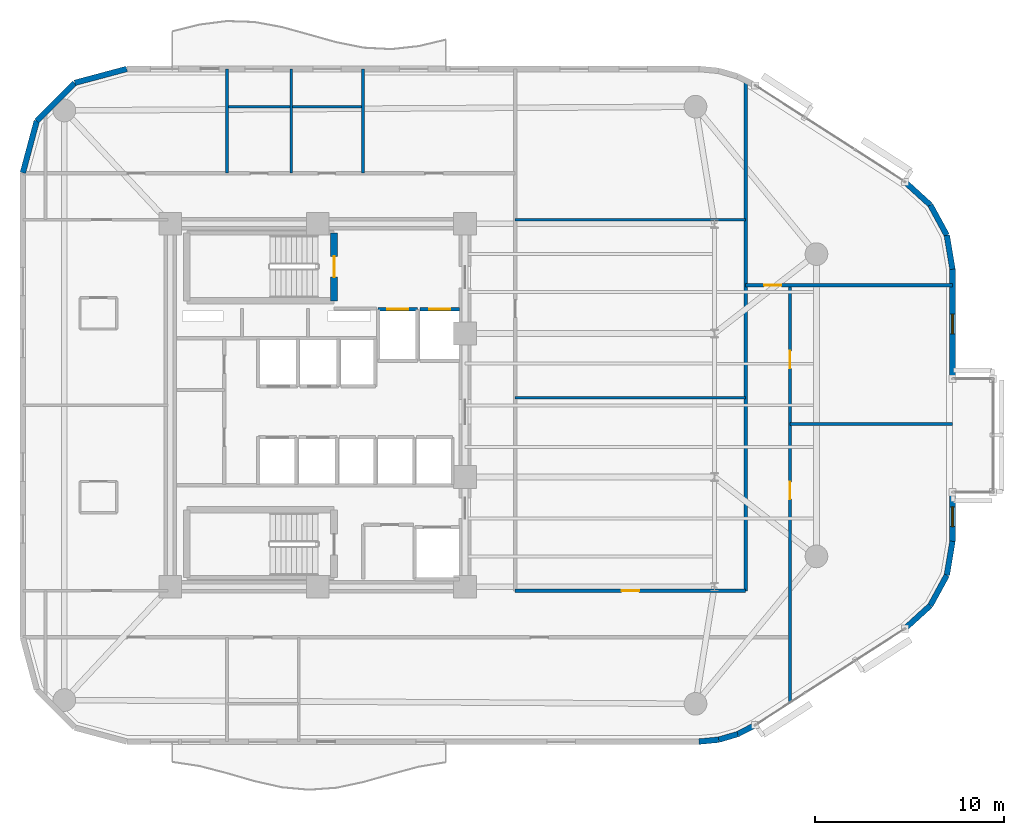
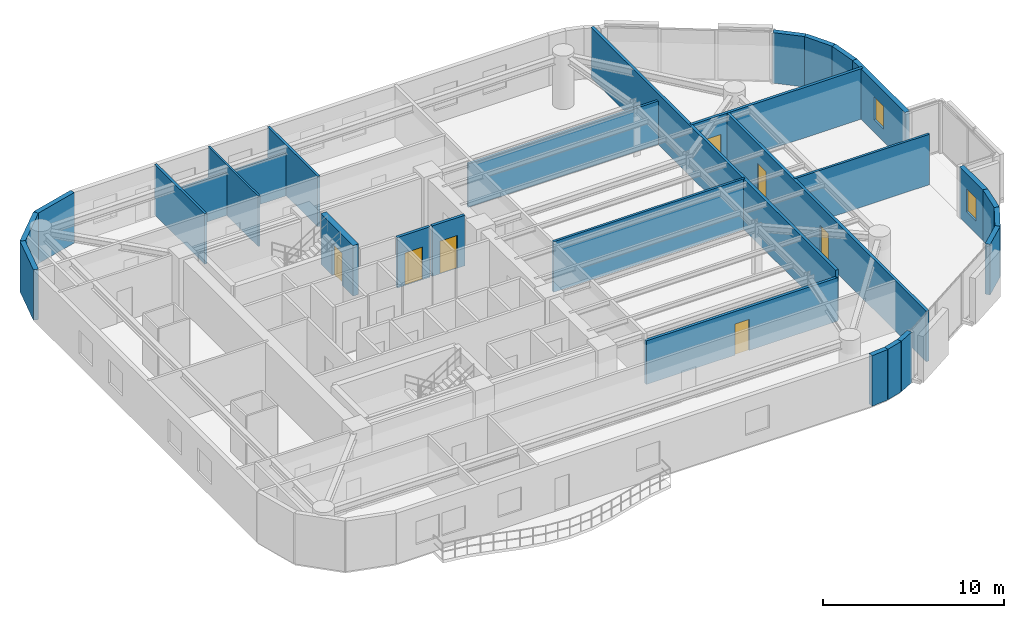
# One storey, part 13 of 16: 28 walls, 7 doors, 2 windows, 9 openings.
"""IFC4 building model written with IfcOpenShell, lengths in metres."""

from ifc_helpers import new_model, si_unit, direction, frame, frame_2d, origin, place, context, subcontext, project, spatial, rectangle, extrude, material, layer, layer_set, type_object, element, fill, save


model = new_model("IFC4")

# Units and contexts
model_context = context("Model", 3, precision=1e-05, world=origin(), true_north=direction((0.0, 1.0)))
body_context = subcontext(model_context, "Body", "Model", "MODEL_VIEW")
ifc_project = project(units=[si_unit("LENGTHUNIT", "METRE"), si_unit("AREAUNIT", "SQUARE_METRE"), si_unit("VOLUMEUNIT", "CUBIC_METRE"), si_unit("PLANEANGLEUNIT", "RADIAN"), si_unit("MASSUNIT", "GRAM", prefix="KILO")], contexts=[model_context])

# Site, building, storey
site_placement = place(None, origin())
site = spatial("IfcSite", under=ifc_project, at=site_placement, CompositionType="ELEMENT")
building_placement = place(site_placement, origin())
building = spatial("IfcBuilding", under=site, at=building_placement, Name="An Khanh Terracotta Commons", CompositionType="ELEMENT")
storey_placement = place(building_placement, frame((0.0, 0.0, 172.60009765625)))
storey = spatial("IfcBuildingStorey", under=building, at=storey_placement, Name="L45", CompositionType="ELEMENT", Elevation=172.60009765625)

# Wall, opening, door
ifc_material_1 = material(Name="Fire-Rated Gypsum Board on Steel Stud", Category="steel")
ifc_layer_1 = layer(ifc_material_1, 0.179931640625, Name="Fire-Rated Gypsum Board on Steel Stud")
ifc_layer_set_1 = layer_set([ifc_layer_1], Name="Fire-Rated Gypsum Board on Steel Stud")
wall_type_1 = type_object("IfcWallType", Name="WALL-CORR-180", PredefinedType="PARTITIONING", material=ifc_layer_set_1)
wall_1_placement = place(storey_placement, frame((32.60009765625, 29.080078125, 0.0), z_axis=(0.0, 0.0, 1.0), x_axis=(1.0, 0.0, 0.0)))
wall_1 = element("IfcWall", 1, at=wall_1_placement, inside=storey, type_object=wall_type_1, Name="L45 Core Wall LSH-L45-FFL-01-N", PredefinedType="PARTITIONING", context=body_context, shape_type="SweptSolid", body=[
    extrude(rectangle(XDim=2.079833984375, YDim=0.179931640625, at=frame_2d((1.0400390625, 0.0))), origin(), (0.0, 0.0, 1.0), 3.39990234375),
])
opening_1_placement = place(wall_1_placement, frame((0.489990234375, 0.0, 0.0)))
opening_1 = element("IfcOpeningElement", 2, at=opening_1_placement, cuts=wall_1, Name="Opening LD-FFL-01-L45", PredefinedType="OPENING", context=body_context, shape_type="SweptSolid", body=[
    extrude(rectangle(XDim=1.10009765625, YDim=2.199951171875, at=frame_2d((0.550048828125, 1.10009765625))), frame((0.0, 0.099853515625, 0.0), z_axis=(0.0, -1.0, 0.0), x_axis=(1.0, 0.0, 0.0)), (0.0, 0.0, 1.0), 0.199951171875),
])
ifc_material_2 = material(Name="Brushed Stainless Steel Fire Landing Door", Category="steel")
door_type_1 = type_object("IfcDoorType", Name="DOOR-LD-FFL-1100", OperationType="NOTDEFINED", PredefinedType="DOOR", material=ifc_material_2)
door_1_placement = place(opening_1_placement, origin())
door_1 = element("IfcDoor", 3, at=door_1_placement, inside=storey, type_object=door_type_1, Name="L45 Lift FFL-01 Sliding Landing Door", OperationType="DOUBLE_DOOR_SLIDING", OverallHeight=2.199951171875, OverallWidth=1.10009765625, PredefinedType="DOOR", context=body_context, shape_type="SweptSolid", body=[
    extrude(rectangle(XDim=1.10009765625, YDim=2.199951171875, at=frame_2d((0.550048828125, 1.10009765625))), frame((0.0, 0.02490234375, 0.0), z_axis=(0.0, -1.0, 0.0), x_axis=(1.0, 0.0, 0.0)), (0.0, 0.0, 1.0), 0.050048828125),
])
fill(opening_1, door_1)

wall_2_placement = place(storey_placement, frame((34.820068359375, 29.080078125, 0.0), z_axis=(0.0, 0.0, 1.0), x_axis=(1.0, 0.0, 0.0)))
wall_2 = element("IfcWall", 4, at=wall_2_placement, inside=storey, type_object=wall_type_1, Name="L45 Core Wall LSH-L45-FFL-02-N", PredefinedType="PARTITIONING", context=body_context, shape_type="SweptSolid", body=[
    extrude(rectangle(XDim=2.079833984375, YDim=0.179931640625, at=frame_2d((1.0400390625, 0.0))), origin(), (0.0, 0.0, 1.0), 3.39990234375),
])
opening_2_placement = place(wall_2_placement, frame((0.489990234375, 0.0, 0.0)))
opening_2 = element("IfcOpeningElement", 5, at=opening_2_placement, cuts=wall_2, Name="Opening LD-FFL-02-L45", PredefinedType="OPENING", context=body_context, shape_type="SweptSolid", body=[
    extrude(rectangle(XDim=1.10009765625, YDim=2.199951171875, at=frame_2d((0.550048828125, 1.10009765625))), frame((0.0, 0.099853515625, 0.0), z_axis=(0.0, -1.0, 0.0), x_axis=(1.0, 0.0, 0.0)), (0.0, 0.0, 1.0), 0.199951171875),
])
door_2_placement = place(opening_2_placement, origin())
door_2 = element("IfcDoor", 6, at=door_2_placement, inside=storey, type_object=door_type_1, Name="L45 Lift FFL-02 Sliding Landing Door", OperationType="DOUBLE_DOOR_SLIDING", OverallHeight=2.199951171875, OverallWidth=1.10009765625, PredefinedType="DOOR", context=body_context, shape_type="SweptSolid", body=[
    extrude(rectangle(XDim=1.10009765625, YDim=2.199951171875, at=frame_2d((0.550048828125, 1.10009765625))), frame((0.0, 0.02490234375, 0.0), z_axis=(0.0, -1.0, 0.0), x_axis=(1.0, 0.0, 0.0)), (0.0, 0.0, 1.0), 0.050048828125),
])
fill(opening_2, door_2)

wall_3_placement = place(storey_placement, frame((39.85009765625, 14.179931640625, 0.0), z_axis=(0.0, 0.0, 1.0), x_axis=(1.0, 0.0, 0.0)))
wall_3 = element("IfcWall", 7, at=wall_3_placement, inside=storey, type_object=wall_type_1, Name="L45 Interior Partition IW-L45-E004", PredefinedType="PARTITIONING", context=body_context, shape_type="SweptSolid", body=[
    extrude(rectangle(XDim=12.199951171875, YDim=0.179931640625, at=frame_2d((6.10009765625, 0.0))), origin(), (0.0, 0.0, 1.0), 2.931884765625),
])
opening_3_placement = place(wall_3_placement, frame((5.639892578125, 0.0, 0.0)))
opening_3 = element("IfcOpeningElement", 8, at=opening_3_placement, cuts=wall_3, Name="Opening D-RM", PredefinedType="OPENING", context=body_context, shape_type="SweptSolid", body=[
    extrude(rectangle(XDim=0.919921875, YDim=2.10009765625, at=frame_2d((0.4599609375, 1.050048828125))), frame((0.0, 0.099853515625, 0.0), z_axis=(0.0, -1.0, 0.0), x_axis=(1.0, 0.0, 0.0)), (0.0, 0.0, 1.0), 0.199951171875),
])
ifc_material_3 = material(Name="Engineered Hardwood Timber Leaf", Category="wood")
door_type_2 = type_object("IfcDoorType", Name="DOOR-INT-920", OperationType="NOTDEFINED", PredefinedType="DOOR", material=ifc_material_3)
door_3_placement = place(opening_3_placement, origin())
door_3 = element("IfcDoor", 9, at=door_3_placement, inside=storey, type_object=door_type_2, Name="L45 WSP1 Riverfront Reading Hall Door", OperationType="SINGLE_SWING_LEFT", OverallHeight=2.10009765625, OverallWidth=0.919921875, PredefinedType="DOOR", context=body_context, shape_type="SweptSolid", body=[
    extrude(rectangle(XDim=0.919921875, YDim=2.10009765625, at=frame_2d((0.4599609375, 1.050048828125))), frame((0.0, 0.02490234375, 0.0), z_axis=(0.0, -1.0, 0.0), x_axis=(1.0, 0.0, 0.0)), (0.0, 0.0, 1.0), 0.050048828125),
])
fill(opening_3, door_3)

wall_4_placement = place(storey_placement, frame((52.050048828125, 30.35009765625, 0.0), z_axis=(0.0, 0.0, 1.0), x_axis=(1.0, 0.0, 0.0)))
wall_4 = element("IfcWall", 10, at=wall_4_placement, inside=storey, type_object=wall_type_1, Name="L45 Interior Partition IW-L45-E008", PredefinedType="PARTITIONING", context=body_context, shape_type="SweptSolid", body=[
    extrude(rectangle(XDim=10.949951171875, YDim=0.179931640625, at=frame_2d((5.47509765625, 0.0))), origin(), (0.0, 0.0, 1.0), 3.39990234375),
])
opening_4_placement = place(wall_4_placement, frame((0.97509765625, 0.0, 0.0)))
opening_4 = element("IfcOpeningElement", 11, at=opening_4_placement, cuts=wall_4, Name="Opening D-RM", PredefinedType="OPENING", context=body_context, shape_type="SweptSolid", body=[
    extrude(rectangle(XDim=0.919921875, YDim=2.10009765625, at=frame_2d((0.4599609375, 1.050048828125))), frame((0.0, 0.099853515625, 0.0), z_axis=(0.0, -1.0, 0.0), x_axis=(1.0, 0.0, 0.0)), (0.0, 0.0, 1.0), 0.199951171875),
])
door_4_placement = place(opening_4_placement, origin())
door_4 = element("IfcDoor", 12, at=door_4_placement, inside=storey, type_object=door_type_2, Name="L45 NCAP Collaborative Study Lounge Door", OperationType="SINGLE_SWING_LEFT", OverallHeight=2.10009765625, OverallWidth=0.919921875, PredefinedType="DOOR", context=body_context, shape_type="SweptSolid", body=[
    extrude(rectangle(XDim=0.919921875, YDim=2.10009765625, at=frame_2d((0.4599609375, 1.050048828125))), frame((0.0, 0.02490234375, 0.0), z_axis=(0.0, -1.0, 0.0), x_axis=(1.0, 0.0, 0.0)), (0.0, 0.0, 1.0), 0.050048828125),
])
fill(opening_4, door_4)

# Wall
wall_5_placement = place(storey_placement, frame((52.050048828125, 14.179931640625, 0.0), z_axis=(0.0, 0.0, 1.0), x_axis=(0.0, 1.0, 0.0)))
element("IfcWall", 13, at=wall_5_placement, inside=storey, type_object=wall_type_1, Name="L45 Interior Partition IW-L45-E021", PredefinedType="PARTITIONING", context=body_context, shape_type="SweptSolid", body=[
    extrude(rectangle(XDim=27.008056640625, YDim=0.179931640625, at=frame_2d((13.50390625, 0.0))), origin(), (0.0, 0.0, 1.0), 3.39990234375),
])

# Wall, openings, doors
wall_6_placement = place(storey_placement, frame((54.39990234375, 8.260986328125, 0.0), z_axis=(0.0, 0.0, 1.0), x_axis=(0.0, 1.0, 0.0)))
wall_6 = element("IfcWall", 14, at=wall_6_placement, inside=storey, type_object=wall_type_1, Name="L45 Interior Partition IW-L45-E022", PredefinedType="PARTITIONING", context=body_context, shape_type="SweptSolid", body=[
    extrude(rectangle(XDim=22.089111328125, YDim=0.179931640625, at=frame_2d((11.04443359375, 0.0))), origin(), (0.0, 0.0, 1.0), 3.39990234375),
])
opening_5_placement = place(wall_6_placement, frame((17.694091796875, 0.0, 0.0)))
opening_5 = element("IfcOpeningElement", 15, at=opening_5_placement, cuts=wall_6, Name="Opening D-RM", PredefinedType="OPENING", context=body_context, shape_type="SweptSolid", body=[
    extrude(rectangle(XDim=0.919921875, YDim=2.10009765625, at=frame_2d((0.4599609375, 1.050048828125))), frame((0.0, 0.099853515625, 0.0), z_axis=(0.0, -1.0, 0.0), x_axis=(1.0, 0.0, 0.0)), (0.0, 0.0, 1.0), 0.199951171875),
])
opening_6_placement = place(wall_6_placement, frame((10.77099609375, 0.0, 0.0)))
opening_6 = element("IfcOpeningElement", 16, at=opening_6_placement, cuts=wall_6, Name="Opening D-RM", PredefinedType="OPENING", context=body_context, shape_type="SweptSolid", body=[
    extrude(rectangle(XDim=0.919921875, YDim=2.10009765625, at=frame_2d((0.4599609375, 1.050048828125))), frame((0.0, 0.099853515625, 0.0), z_axis=(0.0, -1.0, 0.0), x_axis=(1.0, 0.0, 0.0)), (0.0, 0.0, 1.0), 0.199951171875),
])
door_5_placement = place(opening_5_placement, origin())
door_5 = element("IfcDoor", 17, at=door_5_placement, inside=storey, type_object=door_type_2, Name="L45 ENO1 Collaborative Study Lounge Door", OperationType="SINGLE_SWING_RIGHT", OverallHeight=2.10009765625, OverallWidth=0.919921875, PredefinedType="DOOR", context=body_context, shape_type="SweptSolid", body=[
    extrude(rectangle(XDim=0.919921875, YDim=2.10009765625, at=frame_2d((0.4599609375, 1.050048828125))), frame((0.0, 0.02490234375, 0.0), z_axis=(0.0, -1.0, 0.0), x_axis=(1.0, 0.0, 0.0)), (0.0, 0.0, 1.0), 0.050048828125),
])
fill(opening_5, door_5)
door_6_placement = place(opening_6_placement, origin())
door_6 = element("IfcDoor", 18, at=door_6_placement, inside=storey, type_object=door_type_2, Name="L45 ENO2 Collaborative Study Lounge Door", OperationType="SINGLE_SWING_LEFT", OverallHeight=2.10009765625, OverallWidth=0.919921875, PredefinedType="DOOR", context=body_context, shape_type="SweptSolid", body=[
    extrude(rectangle(XDim=0.919921875, YDim=2.10009765625, at=frame_2d((0.4599609375, 1.050048828125))), frame((0.0, 0.02490234375, 0.0), z_axis=(0.0, -1.0, 0.0), x_axis=(1.0, 0.0, 0.0)), (0.0, 0.0, 1.0), 0.050048828125),
])
fill(opening_6, door_6)

# Walls
ifc_material_4 = material(Name="Precast concrete C40/50", Category="concrete")
ifc_layer_2 = layer(ifc_material_4, 0.300048828125, Name="Precast concrete C40/50")
ifc_layer_set_2 = layer_set([ifc_layer_2], Name="Precast concrete C40/50")
wall_type_2 = type_object("IfcWallType", Name="WALL-EXT-300", PredefinedType="SOLIDWALL", material=ifc_layer_set_2)
wall_7_placement = place(storey_placement, frame((49.58203125, 6.199951171875, 0.0), z_axis=(0.0, 0.0, 1.0), x_axis=(0.995426089968, 0.095534807324, 0.0)))
element("IfcWall", 19, at=wall_7_placement, inside=storey, type_object=wall_type_2, Name="L45 Insulated Terracotta Exterior Wall 5", PredefinedType="SOLIDWALL", context=body_context, shape_type="SweptSolid", body=[
    extrude(rectangle(XDim=1.0478515625, YDim=0.300048828125, at=frame_2d((0.52392578125, 0.0))), origin(), (0.0, 0.0, 1.0), 3.39990234375),
])
wall_8_placement = place(storey_placement, frame((50.625, 6.300048828125, 0.0), z_axis=(0.0, 0.0, 1.0), x_axis=(0.959528674476, 0.281610942363, 0.0)))
element("IfcWall", 20, at=wall_8_placement, inside=storey, type_object=wall_type_2, Name="L45 Insulated Terracotta Exterior Wall 6", PredefinedType="SOLIDWALL", context=body_context, shape_type="SweptSolid", body=[
    extrude(rectangle(XDim=1.04736328125, YDim=0.300048828125, at=frame_2d((0.523681640625, 0.0))), origin(), (0.0, 0.0, 1.0), 3.39990234375),
])
wall_9_placement = place(storey_placement, frame((51.6298828125, 6.594970703125, 0.0), z_axis=(0.0, 0.0, 1.0), x_axis=(0.888283247196, 0.459296062198, 0.0)))
element("IfcWall", 21, at=wall_9_placement, inside=storey, type_object=wall_type_2, Name="L45 Insulated Terracotta Exterior Wall 7", PredefinedType="SOLIDWALL", context=body_context, shape_type="SweptSolid", body=[
    extrude(rectangle(XDim=1.047119140625, YDim=0.300048828125, at=frame_2d((0.5234375, 0.0))), origin(), (0.0, 0.0, 1.0), 3.39990234375),
])
wall_10_placement = place(storey_placement, frame((60.47802734375, 12.176025390625, 0.0), z_axis=(0.0, 0.0, 1.0), x_axis=(0.73947929393, 0.673179302897, 0.0)))
element("IfcWall", 22, at=wall_10_placement, inside=storey, type_object=wall_type_2, Name="L45 Insulated Terracotta Exterior Wall 9", PredefinedType="SOLIDWALL", context=body_context, shape_type="SweptSolid", body=[
    extrude(rectangle(XDim=1.82275390625, YDim=0.300048828125, at=frame_2d((0.911376953125, 0.0))), origin(), (0.0, 0.0, 1.0), 3.39990234375),
])
wall_11_placement = place(storey_placement, frame((61.825927734375, 13.403076171875, 0.0), z_axis=(0.0, 0.0, 1.0), x_axis=(0.478608030646, 0.878028674362, 0.0)))
element("IfcWall", 23, at=wall_11_placement, inside=storey, type_object=wall_type_2, Name="L45 Insulated Terracotta Exterior Wall 10", PredefinedType="SOLIDWALL", context=body_context, shape_type="SweptSolid", body=[
    extrude(rectangle(XDim=1.822021484375, YDim=0.300048828125, at=frame_2d((0.9111328125, 0.0))), origin(), (0.0, 0.0, 1.0), 3.39990234375),
])
wall_12_placement = place(storey_placement, frame((62.697998046875, 15.0029296875, 0.0), z_axis=(0.0, 0.0, 1.0), x_axis=(0.165724081207, 0.986172159873, 0.0)))
element("IfcWall", 24, at=wall_12_placement, inside=storey, type_object=wall_type_2, Name="L45 Insulated Terracotta Exterior Wall 11", PredefinedType="SOLIDWALL", context=body_context, shape_type="SweptSolid", body=[
    extrude(rectangle(XDim=1.822265625, YDim=0.300048828125, at=frame_2d((0.9111328125, 0.0))), origin(), (0.0, 0.0, 1.0), 3.39990234375),
])

# Wall, opening, window
wall_13_placement = place(storey_placement, frame((63.0, 16.800048828125, 0.0), z_axis=(0.0, 0.0, 1.0), x_axis=(0.0, 1.0, 0.0)))
wall_13 = element("IfcWall", 25, at=wall_13_placement, inside=storey, type_object=wall_type_2, Name="L45 East Nose Wall South", PredefinedType="SOLIDWALL", context=body_context, shape_type="SweptSolid", body=[
    extrude(rectangle(XDim=2.599853515625, YDim=0.300048828125, at=frame_2d((1.2998046875, 0.0))), origin(), (0.0, 0.0, 1.0), 3.39990234375),
])
opening_7_placement = place(wall_13_placement, frame((0.77490234375, 0.0, 0.85009765625)))
opening_7 = element("IfcOpeningElement", 26, at=opening_7_placement, cuts=wall_13, Name="Opening W-06", PredefinedType="OPENING", context=body_context, shape_type="SweptSolid", body=[
    extrude(rectangle(XDim=1.050048828125, YDim=1.550048828125, at=frame_2d((0.52490234375, 0.77490234375))), frame((0.0, 0.159912109375, 0.0), z_axis=(0.0, -1.0, 0.0), x_axis=(1.0, 0.0, 0.0)), (0.0, 0.0, 1.0), 0.320068359375),
])
ifc_material_5 = material(Name="Thermally Broken Aluminium and Low-E Glass", Category="aluminium")
window_type = type_object("IfcWindowType", Name="WIN-COR-1050x1550", PartitioningType="SINGLE_PANEL", PredefinedType="WINDOW", material=ifc_material_5)
window_1_placement = place(opening_7_placement, origin())
window_1 = element("IfcWindow", 27, at=window_1_placement, inside=storey, type_object=window_type, Name="L45 East Nose South Casement Window", OverallHeight=1.550048828125, OverallWidth=1.050048828125, PartitioningType="SINGLE_PANEL", PredefinedType="WINDOW", context=body_context, shape_type="SweptSolid", body=[
    extrude(rectangle(XDim=1.050048828125, YDim=1.550048828125, at=frame_2d((0.52490234375, 0.77490234375))), frame((0.0, 0.030029296875, 0.0), z_axis=(0.0, -1.0, 0.0), x_axis=(1.0, 0.0, 0.0)), (0.0, 0.0, 1.0), 0.06005859375),
])
fill(opening_7, window_1)

wall_14_placement = place(storey_placement, frame((63.0, 25.39990234375, 0.0), z_axis=(0.0, 0.0, 1.0), x_axis=(0.0, 1.0, 0.0)))
wall_14 = element("IfcWall", 28, at=wall_14_placement, inside=storey, type_object=wall_type_2, Name="L45 East Nose Wall North", PredefinedType="SOLIDWALL", context=body_context, shape_type="SweptSolid", body=[
    extrude(rectangle(XDim=5.800048828125, YDim=0.300048828125, at=frame_2d((2.89990234375, 0.0))), origin(), (0.0, 0.0, 1.0), 3.39990234375),
])
opening_8_placement = place(wall_14_placement, frame((2.375, 0.0, 0.85009765625)))
opening_8 = element("IfcOpeningElement", 29, at=opening_8_placement, cuts=wall_14, Name="Opening W-06", PredefinedType="OPENING", context=body_context, shape_type="SweptSolid", body=[
    extrude(rectangle(XDim=1.050048828125, YDim=1.550048828125, at=frame_2d((0.52490234375, 0.77490234375))), frame((0.0, 0.159912109375, 0.0), z_axis=(0.0, -1.0, 0.0), x_axis=(1.0, 0.0, 0.0)), (0.0, 0.0, 1.0), 0.320068359375),
])
window_2_placement = place(opening_8_placement, origin())
window_2 = element("IfcWindow", 30, at=window_2_placement, inside=storey, type_object=window_type, Name="L45 East Nose North Casement Window", OverallHeight=1.550048828125, OverallWidth=1.050048828125, PartitioningType="SINGLE_PANEL", PredefinedType="WINDOW", context=body_context, shape_type="SweptSolid", body=[
    extrude(rectangle(XDim=1.050048828125, YDim=1.550048828125, at=frame_2d((0.52490234375, 0.77490234375))), frame((0.0, 0.030029296875, 0.0), z_axis=(0.0, -1.0, 0.0), x_axis=(1.0, 0.0, 0.0)), (0.0, 0.0, 1.0), 0.06005859375),
])
fill(opening_8, window_2)

# Walls
wall_15_placement = place(storey_placement, frame((63.0, 31.199951171875, 0.0), z_axis=(0.0, 0.0, 1.0), x_axis=(-0.165724081207, 0.986172159873, 0.0)))
element("IfcWall", 31, at=wall_15_placement, inside=storey, type_object=wall_type_2, Name="L45 Insulated Terracotta Exterior Wall 13", PredefinedType="SOLIDWALL", context=body_context, shape_type="SweptSolid", body=[
    extrude(rectangle(XDim=1.822265625, YDim=0.300048828125, at=frame_2d((0.9111328125, 0.0))), origin(), (0.0, 0.0, 1.0), 3.39990234375),
])
wall_16_placement = place(storey_placement, frame((62.697998046875, 32.9970703125, 0.0), z_axis=(0.0, 0.0, 1.0), x_axis=(-0.478608030646, 0.878028674362, 0.0)))
element("IfcWall", 32, at=wall_16_placement, inside=storey, type_object=wall_type_2, Name="L45 Insulated Terracotta Exterior Wall 14", PredefinedType="SOLIDWALL", context=body_context, shape_type="SweptSolid", body=[
    extrude(rectangle(XDim=1.822021484375, YDim=0.300048828125, at=frame_2d((0.9111328125, 0.0))), origin(), (0.0, 0.0, 1.0), 3.39990234375),
])
wall_17_placement = place(storey_placement, frame((61.825927734375, 34.596923828125, 0.0), z_axis=(0.0, 0.0, 1.0), x_axis=(-0.73947929393, 0.673179302897, 0.0)))
element("IfcWall", 33, at=wall_17_placement, inside=storey, type_object=wall_type_2, Name="L45 Insulated Terracotta Exterior Wall 15", PredefinedType="SOLIDWALL", context=body_context, shape_type="SweptSolid", body=[
    extrude(rectangle(XDim=1.82275390625, YDim=0.300048828125, at=frame_2d((0.911376953125, 0.0))), origin(), (0.0, 0.0, 1.0), 3.39990234375),
])
wall_18_placement = place(storey_placement, frame((19.300048828125, 41.800048828125, 0.0), z_axis=(0.0, 0.0, 1.0), x_axis=(-0.965908238586, -0.258884674387, 0.0)))
element("IfcWall", 34, at=wall_18_placement, inside=storey, type_object=wall_type_2, Name="L45 Insulated Terracotta Exterior Wall 21", PredefinedType="SOLIDWALL", context=body_context, shape_type="SweptSolid", body=[
    extrude(rectangle(XDim=2.84716796875, YDim=0.300048828125, at=frame_2d((1.423583984375, 0.0))), origin(), (0.0, 0.0, 1.0), 3.39990234375),
])
wall_19_placement = place(storey_placement, frame((16.550048828125, 41.06298828125, 0.0), z_axis=(0.0, 0.0, 1.0), x_axis=(-0.707106781187, -0.707106781187, 0.0)))
element("IfcWall", 35, at=wall_19_placement, inside=storey, type_object=wall_type_2, Name="L45 Insulated Terracotta Exterior Wall 22", PredefinedType="SOLIDWALL", context=body_context, shape_type="SweptSolid", body=[
    extrude(rectangle(XDim=2.8466796875, YDim=0.300048828125, at=frame_2d((1.42333984375, 0.0))), origin(), (0.0, 0.0, 1.0), 3.39990234375),
])
wall_20_placement = place(storey_placement, frame((14.537109375, 39.050048828125, 0.0), z_axis=(0.0, 0.0, 1.0), x_axis=(-0.258884674387, -0.965908238586, 0.0)))
element("IfcWall", 36, at=wall_20_placement, inside=storey, type_object=wall_type_2, Name="L45 Insulated Terracotta Exterior Wall 23", PredefinedType="SOLIDWALL", context=body_context, shape_type="SweptSolid", body=[
    extrude(rectangle(XDim=2.84716796875, YDim=0.300048828125, at=frame_2d((1.423583984375, 0.0))), origin(), (0.0, 0.0, 1.0), 3.39990234375),
])
ifc_material_6 = material(Name="Acoustic Gypsum Board Partition")
ifc_layer_3 = layer(ifc_material_6, 0.14990234375, Name="Acoustic Gypsum Board Partition")
ifc_layer_set_3 = layer_set([ifc_layer_3], Name="Acoustic Gypsum Board Partition")
wall_type_3 = type_object("IfcWallType", Name="WALL-PART-150", PredefinedType="PARTITIONING", material=ifc_layer_set_3)
wall_21_placement = place(storey_placement, frame((54.39990234375, 23.0, 0.0), z_axis=(0.0, 0.0, 1.0), x_axis=(1.0, 0.0, 0.0)))
element("IfcWall", 37, at=wall_21_placement, inside=storey, type_object=wall_type_3, Name="L45 Interior Partition IW-L45-E005", PredefinedType="PARTITIONING", context=body_context, shape_type="SweptSolid", body=[
    extrude(rectangle(XDim=8.60009765625, YDim=0.14990234375, at=frame_2d((4.300048828125, 0.0))), origin(), (0.0, 0.0, 1.0), 3.39990234375),
])
wall_22_placement = place(storey_placement, frame((39.85009765625, 24.39990234375, 0.0), z_axis=(0.0, 0.0, 1.0), x_axis=(1.0, 0.0, 0.0)))
element("IfcWall", 38, at=wall_22_placement, inside=storey, type_object=wall_type_3, Name="L45 Interior Partition IW-L45-E007", PredefinedType="PARTITIONING", context=body_context, shape_type="SweptSolid", body=[
    extrude(rectangle(XDim=12.199951171875, YDim=0.14990234375, at=frame_2d((6.10009765625, 0.0))), origin(), (0.0, 0.0, 1.0), 3.39990234375),
])
wall_23_placement = place(storey_placement, frame((39.85009765625, 33.820068359375, 0.0), z_axis=(0.0, 0.0, 1.0), x_axis=(1.0, 0.0, 0.0)))
element("IfcWall", 39, at=wall_23_placement, inside=storey, type_object=wall_type_3, Name="L45 Interior Partition IW-L45-E010", PredefinedType="PARTITIONING", context=body_context, shape_type="SweptSolid", body=[
    extrude(rectangle(XDim=12.199951171875, YDim=0.14990234375, at=frame_2d((6.10009765625, 0.0))), origin(), (0.0, 0.0, 1.0), 2.931884765625),
])
for number, where, z_axis, x_axis, name in (
    (40, (24.60009765625, 36.280029296875, 0.0), (0.0, 0.0, 1.0), (0.0, 1.0, 0.0), "L45 Interior Partition IW-L45-E016"),
    (41, (31.800048828125, 36.280029296875, 0.0), (0.0, 0.0, 1.0), (0.0, 1.0, 0.0), "L45 Interior Partition IW-L45-E019"),
):
    element("IfcWall", number, at=place(storey_placement, frame(where, z_axis=z_axis, x_axis=x_axis)), inside=storey, type_object=wall_type_3, Name=name, PredefinedType="PARTITIONING", context=body_context, shape_type="SweptSolid", body=[
        extrude(rectangle(XDim=5.52001953125, YDim=0.14990234375, at=frame_2d((2.760009765625, 0.0))), origin(), (0.0, 0.0, 1.0), 3.39990234375),
    ])

# Wall, opening, door
ifc_material_7 = material(Name="Concrete C50/60", Category="concrete")
ifc_layer_4 = layer(ifc_material_7, 0.35009765625, Name="Concrete C50/60")
ifc_layer_set_4 = layer_set([ifc_layer_4], Name="Concrete C50/60")
wall_type_4 = type_object("IfcWallType", Name="WALL-SHAFT-350", PredefinedType="SOLIDWALL", material=ifc_layer_set_4)
wall_24_placement = place(storey_placement, frame((30.27001953125, 29.530029296875, 0.0), z_axis=(0.0, 0.0, 1.0), x_axis=(0.0, 1.0, 0.0)))
wall_24 = element("IfcWall", 42, at=wall_24_placement, inside=storey, type_object=wall_type_4, Name="L45 Core Wall STW-L45-N-E", PredefinedType="SOLIDWALL", context=body_context, shape_type="SweptSolid", body=[
    extrude(rectangle(XDim=3.580078125, YDim=0.35009765625, at=frame_2d((1.7900390625, 0.0))), origin(), (0.0, 0.0, 1.0), 3.39990234375),
])
opening_9_placement = place(wall_24_placement, frame((1.25, 0.0, 0.0)))
opening_9 = element("IfcOpeningElement", 43, at=opening_9_placement, cuts=wall_24, Name="Opening D-ST", PredefinedType="OPENING", context=body_context, shape_type="SweptSolid", body=[
    extrude(rectangle(XDim=1.10009765625, YDim=2.14990234375, at=frame_2d((0.550048828125, 1.074951171875))), frame((0.0, 0.18505859375, 0.0), z_axis=(0.0, -1.0, 0.0), x_axis=(1.0, 0.0, 0.0)), (0.0, 0.0, 1.0), 0.3701171875),
])
ifc_material_8 = material(Name="Fire-Rated Steel Leaf and Frame", Category="steel")
door_type_3 = type_object("IfcDoorType", Name="DOOR-STAIR-1100", OperationType="NOTDEFINED", PredefinedType="DOOR", material=ifc_material_8)
door_7_placement = place(opening_9_placement, origin())
door_7 = element("IfcDoor", 44, at=door_7_placement, inside=storey, type_object=door_type_3, Name="L45 Stair ST-01 Fire Door", OperationType="SINGLE_SWING_LEFT", OverallHeight=2.14990234375, OverallWidth=1.10009765625, PredefinedType="DOOR", context=body_context, shape_type="SweptSolid", body=[
    extrude(rectangle(XDim=1.10009765625, YDim=2.14990234375, at=frame_2d((0.550048828125, 1.074951171875))), frame((0.0, 0.02490234375, 0.0), z_axis=(0.0, -1.0, 0.0), x_axis=(1.0, 0.0, 0.0)), (0.0, 0.0, 1.0), 0.050048828125),
])
fill(opening_9, door_7)

# Walls
ifc_material_9 = material(Name="Moisture-Resistant Cement Board Partition")
ifc_layer_5 = layer(ifc_material_9, 0.1201171875, Name="Moisture-Resistant Cement Board Partition")
ifc_layer_set_5 = layer_set([ifc_layer_5], Name="Moisture-Resistant Cement Board Partition")
wall_type_5 = type_object("IfcWallType", Name="WALL-WET-120", PredefinedType="PARTITIONING", material=ifc_layer_set_5)
wall_25_placement = place(storey_placement, frame((24.60009765625, 39.800048828125, 0.0), z_axis=(0.0, 0.0, 1.0), x_axis=(1.0, 0.0, 0.0)))
element("IfcWall", 45, at=wall_25_placement, inside=storey, type_object=wall_type_5, Name="L45 Interior Partition IW-L45-E012", PredefinedType="PARTITIONING", context=body_context, shape_type="SweptSolid", body=[
    extrude(rectangle(XDim=7.199951171875, YDim=0.1201171875, at=frame_2d((3.60009765625, 0.0))), origin(), (0.0, 0.0, 1.0), 2.8818359375),
])
wall_26_placement = place(storey_placement, frame((28.0, 36.280029296875, 0.0), z_axis=(0.0, 0.0, 1.0), x_axis=(0.0, 1.0, 0.0)))
element("IfcWall", 46, at=wall_26_placement, inside=storey, type_object=wall_type_5, Name="L45 Interior Partition IW-L45-E017", PredefinedType="PARTITIONING", context=body_context, shape_type="SweptSolid", body=[
    extrude(rectangle(XDim=5.52001953125, YDim=0.1201171875, at=frame_2d((2.760009765625, 0.0))), origin(), (0.0, 0.0, 1.0), 3.39990234375),
])

save(model, "model.ifc")
